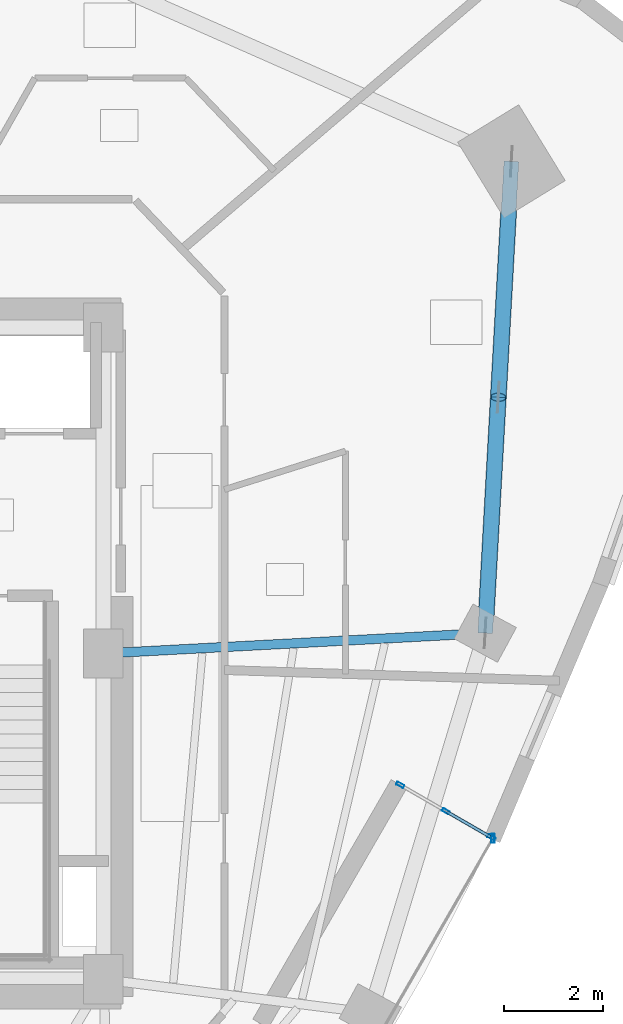
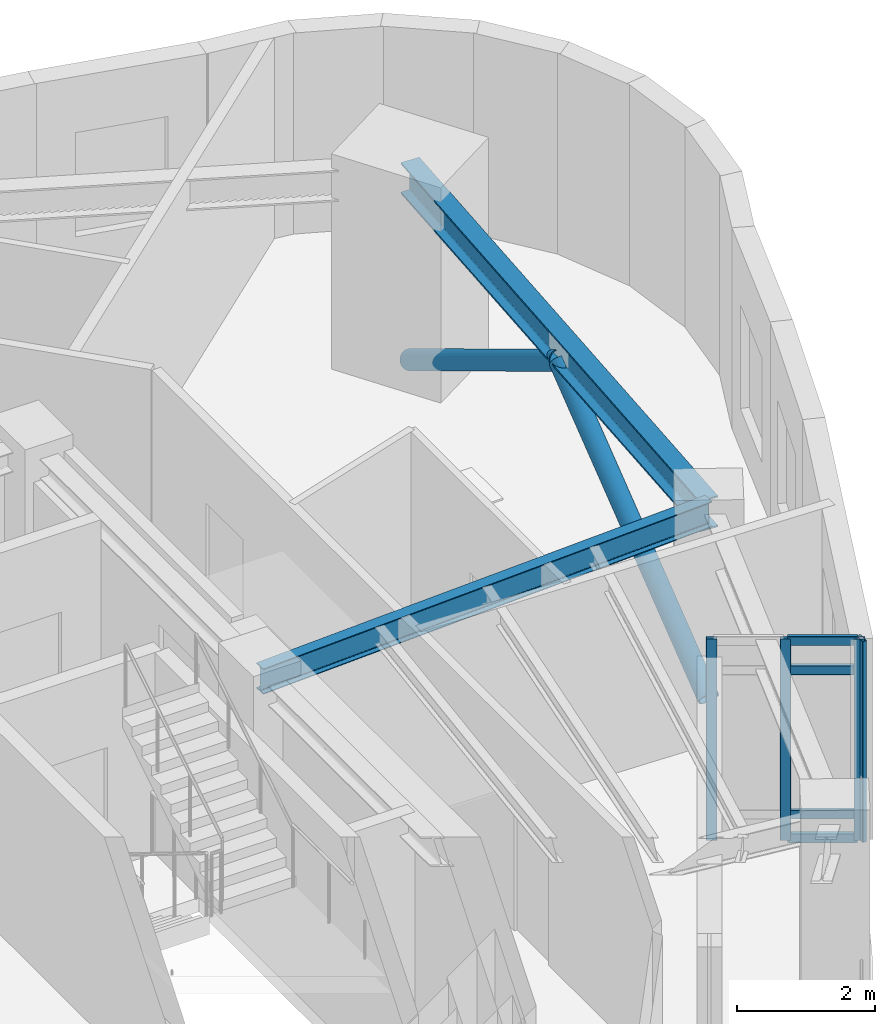
# One storey, part 4 of 12: 10 members, 2 beams, 1 element without a shape of its own.
"""IFC4 building model written with IfcOpenShell, lengths in metres."""

from ifc_helpers import new_model, si_unit, direction, frame, origin, origin_2d, place, context, subcontext, project, spatial, hollow_rectangle, hollow_circle, i_section, extrude, material, layer, layer_set, material_profile, profile_set, type_object, element, aggregate, save


model = new_model("IFC4")

# Units and contexts
model_context = context("Model", 3, precision=1e-05, world=origin(), true_north=direction((0.0, 1.0)))
body_context = subcontext(model_context, "Body", "Model", "MODEL_VIEW")
ifc_project = project(units=[si_unit("LENGTHUNIT", "METRE"), si_unit("AREAUNIT", "SQUARE_METRE"), si_unit("VOLUMEUNIT", "CUBIC_METRE"), si_unit("PLANEANGLEUNIT", "RADIAN"), si_unit("MASSUNIT", "GRAM", prefix="KILO")], contexts=[model_context])

# Site, building, storey
site_placement = place(None, origin())
site = spatial("IfcSite", under=ifc_project, at=site_placement, CompositionType="ELEMENT")
building_placement = place(site_placement, origin())
building = spatial("IfcBuilding", under=site, at=building_placement, Name="Ndelora Gate Hotel", CompositionType="ELEMENT")
storey_placement = place(building_placement, frame((0.0, 0.0, 205.550048828125)))
storey = spatial("IfcBuildingStorey", under=building, at=storey_placement, Name="L51", CompositionType="ELEMENT", Elevation=205.550048828125)

# Beams
ifc_material_1 = material(Name="Steel S355", Category="steel")
ifc_material_profile_1 = material_profile(ifc_material_1, i_section(OverallWidth=0.18994140625, OverallDepth=0.449951171875, WebThickness=0.009521484375, FlangeThickness=0.0146484375, FilletRadius=0.02099609375, at=origin_2d()), Name="IPE 450")
ifc_profile_set_1 = profile_set([ifc_material_profile_1], Name="Steel S355")
beam_type_1 = type_object("IfcBeamType", Name="BM-RAD-450", PredefinedType="BEAM", material=ifc_profile_set_1)
beam_1_placement = place(storey_placement, frame((8.0, 0.0, 3.324951171875), z_axis=(0.998583554121, 0.053206065814, 0.0), x_axis=(-0.053206065814, 0.998583554121, 0.0)))
element("IfcBeam", 1, at=beam_1_placement, inside=storey, type_object=beam_type_1, Name="L51 Radial Floor Girder 8", PredefinedType="BEAM", context=body_context, shape_type="SweptSolid", body=[
    extrude(i_section(OverallWidth=0.18994140625, OverallDepth=0.449951171875, WebThickness=0.009521484375, FlangeThickness=0.0146484375, FilletRadius=0.02099609375, at=origin_2d()), origin(), (0.0, 0.0, 1.0), 7.740966796875),
])
ifc_material_profile_2 = material_profile(ifc_material_1, i_section(OverallWidth=0.300048828125, OverallDepth=0.550048828125, WebThickness=0.014892578125, FlangeThickness=0.029052734375, FilletRadius=0.027099609375, at=origin_2d()), Name="HEB 550")
ifc_profile_set_2 = profile_set([ifc_material_profile_2], Name="Steel S355")
beam_type_2 = type_object("IfcBeamType", Name="BM-RING-550", PredefinedType="SPANDREL", material=ifc_profile_set_2)
beam_2_placement = place(storey_placement, frame((15.72998046875, 0.411865234375, 3.27490234375), z_axis=(0.055426206248, 0.998462786318, 0.0), x_axis=(-0.998462786318, 0.055426206248, 0.0)))
element("IfcBeam", 2, at=beam_2_placement, inside=storey, type_object=beam_type_2, Name="L51 Perimeter Spandrel Girder 8", PredefinedType="SPANDREL", context=body_context, shape_type="SweptSolid", body=[
    extrude(i_section(OverallWidth=0.300048828125, OverallDepth=0.550048828125, WebThickness=0.014892578125, FlangeThickness=0.029052734375, FilletRadius=0.027099609375, at=origin_2d()), origin(), (0.0, 0.0, 1.0), 9.567138671875),
])

# Curtain wall, members
ifc_material_2 = material(Name="Bronze Anodised Unitised Aluminium and Low-E Glass", Category="aluminium")
ifc_layer = layer(ifc_material_2, 0.199951171875)
ifc_layer_set = layer_set([ifc_layer], Name="Bronze Anodised Unitised Aluminium and Low-E Glass")
curtain_wall_type = type_object("IfcCurtainWallType", Name="CW-SYS-3", PredefinedType="NOTDEFINED", material=ifc_layer_set)
curtain_wall_placement = place(storey_placement, origin())
curtain_wall = element("IfcCurtainWall", 3, at=curtain_wall_placement, inside=storey, type_object=curtain_wall_type, Name="L51 Sky-Garden Loggia Side Curtain Wall CW3-2", PredefinedType="NOTDEFINED")
ifc_material_3 = material(Name="Bronze Anodised Aluminium 6063-T6", Category="aluminium")
ifc_material_profile_3 = material_profile(ifc_material_3, hollow_rectangle(XDim=0.06494140625, YDim=0.159912109375, WallThickness=0.00390625, InnerFilletRadius=0.00390625, OuterFilletRadius=0.008056640625, at=origin_2d()), Name="ALU 160x65x4")
ifc_profile_set_3 = profile_set([ifc_material_profile_3], Name="Bronze Anodised Aluminium 6063-T6")
member_type_1 = type_object("IfcMemberType", Name="MB-CW-MUL150", PredefinedType="MULLION", material=ifc_profile_set_3)
member_1_placement = place(storey_placement, frame((15.857666015625, -3.728271484375, -0.004150390625), z_axis=(0.0, 0.0, 1.0), x_axis=(-0.499991317892, -0.866030416344, 0.0)))
member_1 = element("IfcMember", 4, at=member_1_placement, type_object=member_type_1, Name="CW3 mullion 1", PredefinedType="MULLION", context=body_context, shape_type="SweptSolid", body=[
    extrude(hollow_rectangle(XDim=0.06494140625, YDim=0.159912109375, WallThickness=0.00390625, InnerFilletRadius=0.00390625, OuterFilletRadius=0.008056640625, at=origin_2d()), origin(), (0.0, 0.0, 1.0), 3.55810546875),
])
member_2_placement = place(storey_placement, frame((14.933349609375, -3.194580078125, -0.004150390625), z_axis=(0.0, 0.0, 1.0), x_axis=(-0.499991317892, -0.866030416344, 0.0)))
member_2 = element("IfcMember", 5, at=member_2_placement, type_object=member_type_1, Name="CW3 mullion 2", PredefinedType="MULLION", context=body_context, shape_type="SweptSolid", body=[
    extrude(hollow_rectangle(XDim=0.06494140625, YDim=0.159912109375, WallThickness=0.00390625, InnerFilletRadius=0.00390625, OuterFilletRadius=0.008056640625, at=origin_2d()), origin(), (0.0, 0.0, 1.0), 3.55810546875),
])
member_3_placement = place(storey_placement, frame((14.0087890625, -2.660888671875, -0.004150390625), z_axis=(0.0, 0.0, 1.0), x_axis=(-0.499991317892, -0.866030416344, 0.0)))
member_3 = element("IfcMember", 6, at=member_3_placement, type_object=member_type_1, Name="CW3 mullion 3", PredefinedType="MULLION", context=body_context, shape_type="SweptSolid", body=[
    extrude(hollow_rectangle(XDim=0.06494140625, YDim=0.159912109375, WallThickness=0.00390625, InnerFilletRadius=0.00390625, OuterFilletRadius=0.008056640625, at=origin_2d()), origin(), (0.0, 0.0, 1.0), 3.55810546875),
])
ifc_material_profile_4 = material_profile(ifc_material_3, hollow_rectangle(XDim=0.070068359375, YDim=0.179931640625, WallThickness=0.0048828125, InnerFilletRadius=0.0048828125, OuterFilletRadius=0.010009765625, at=origin_2d()), Name="ALU 180x70x5")
ifc_profile_set_4 = profile_set([ifc_material_profile_4], Name="Bronze Anodised Aluminium 6063-T6")
member_type_2 = type_object("IfcMemberType", Name="MB-CW-MUL180", PredefinedType="MULLION", material=ifc_profile_set_4)
member_4_placement = place(storey_placement, frame((15.885986328125, -3.74462890625, 0.0), z_axis=(0.0, 0.0, 1.0), x_axis=(1.0, 0.0, 0.0)))
member_4 = element("IfcMember", 7, at=member_4_placement, type_object=member_type_2, Name="L51 Sky-Garden Loggia Corner Mullion Post 2", PredefinedType="MULLION", context=body_context, shape_type="SweptSolid", body=[
    extrude(hollow_rectangle(XDim=0.070068359375, YDim=0.179931640625, WallThickness=0.0048828125, InnerFilletRadius=0.0048828125, OuterFilletRadius=0.010009765625, at=origin_2d()), origin(), (0.0, 0.0, 1.0), 3.550048828125),
])
ifc_material_profile_5 = material_profile(ifc_material_3, hollow_rectangle(XDim=0.06494140625, YDim=0.159912109375, WallThickness=0.00390625, InnerFilletRadius=0.00390625, OuterFilletRadius=0.008056640625, at=origin_2d()), Name="ALU 160x65x4")
ifc_profile_set_5 = profile_set([ifc_material_profile_5], Name="Bronze Anodised Aluminium 6063-T6")
member_type_3 = type_object("IfcMemberType", Name="MB-CW-TRN150", PredefinedType="USERDEFINED", material=ifc_profile_set_5)
member_5_placement = place(storey_placement, frame((15.834716796875, -3.715087890625, 0.032470703125), z_axis=(-0.865953096906, 0.50012521828, 0.0), x_axis=(-0.50012521828, -0.865953096906, 0.0)))
member_5 = element("IfcMember", 8, at=member_5_placement, type_object=member_type_3, Name="CW3 transom 1.1", ObjectType="TRANSOM", PredefinedType="USERDEFINED", context=body_context, shape_type="SweptSolid", body=[
    extrude(hollow_rectangle(XDim=0.06494140625, YDim=0.159912109375, WallThickness=0.00390625, InnerFilletRadius=0.00390625, OuterFilletRadius=0.008056640625, at=origin_2d()), origin(), (0.0, 0.0, 1.0), 1.014404296875),
])
member_6_placement = place(storey_placement, frame((15.834716796875, -3.715087890625, 0.449951171875), z_axis=(-0.865953096906, 0.50012521828, 0.0), x_axis=(-0.50012521828, -0.865953096906, 0.0)))
member_6 = element("IfcMember", 9, at=member_6_placement, type_object=member_type_3, Name="CW3 transom 1.2", ObjectType="TRANSOM", PredefinedType="USERDEFINED", context=body_context, shape_type="SweptSolid", body=[
    extrude(hollow_rectangle(XDim=0.06494140625, YDim=0.159912109375, WallThickness=0.00390625, InnerFilletRadius=0.00390625, OuterFilletRadius=0.008056640625, at=origin_2d()), origin(), (0.0, 0.0, 1.0), 1.014404296875),
])
member_7_placement = place(storey_placement, frame((15.834716796875, -3.715087890625, 3.0), z_axis=(-0.865953096906, 0.50012521828, 0.0), x_axis=(-0.50012521828, -0.865953096906, 0.0)))
member_7 = element("IfcMember", 10, at=member_7_placement, type_object=member_type_3, Name="CW3 transom 1.3", ObjectType="TRANSOM", PredefinedType="USERDEFINED", context=body_context, shape_type="SweptSolid", body=[
    extrude(hollow_rectangle(XDim=0.06494140625, YDim=0.159912109375, WallThickness=0.00390625, InnerFilletRadius=0.00390625, OuterFilletRadius=0.008056640625, at=origin_2d()), origin(), (0.0, 0.0, 1.0), 1.014404296875),
])
member_8_placement = place(storey_placement, frame((15.834716796875, -3.715087890625, 3.517333984375), z_axis=(-0.865953096906, 0.50012521828, 0.0), x_axis=(-0.50012521828, -0.865953096906, 0.0)))
member_8 = element("IfcMember", 11, at=member_8_placement, type_object=member_type_3, Name="CW3 transom 1.4", ObjectType="TRANSOM", PredefinedType="USERDEFINED", context=body_context, shape_type="SweptSolid", body=[
    extrude(hollow_rectangle(XDim=0.06494140625, YDim=0.159912109375, WallThickness=0.00390625, InnerFilletRadius=0.00390625, OuterFilletRadius=0.008056640625, at=origin_2d()), origin(), (0.0, 0.0, 1.0), 1.014404296875),
])
aggregate(curtain_wall, [member_1, member_2, member_3, member_5, member_6, member_7, member_8, member_4])

# Members
ifc_material_profile_6 = material_profile(ifc_material_1, hollow_circle(Radius=0.161865234375, WallThickness=0.01611328125, at=origin_2d()), Name="CHS 323.9x16")
ifc_profile_set_6 = profile_set([ifc_material_profile_6], Name="Steel S355")
member_type_4 = type_object("IfcMemberType", Name="MB-TUBE-324", PredefinedType="BRACE", material=ifc_profile_set_6)
member_9_placement = place(storey_placement, frame((15.72998046875, 0.411865234375, 0.02001953125), z_axis=(0.047045319089, 0.847465540823, 0.528761661876), x_axis=(-0.99846270792, 0.055427618504, 0.0)))
element("IfcMember", 12, at=member_9_placement, inside=storey, type_object=member_type_4, Name="L51 Perimeter Braced-Tube Diagonal 8A", PredefinedType="BRACE", context=body_context, shape_type="SweptSolid", body=[
    extrude(hollow_circle(Radius=0.161865234375, WallThickness=0.01611328125, at=origin_2d()), origin(), (0.0, 0.0, 1.0), 5.6357421875),
])
member_10_placement = place(storey_placement, frame((16.26025390625, 9.96435546875, 0.02001953125), z_axis=(-0.04704359201, -0.847477747768, 0.528742250524), x_axis=(0.998462864709, -0.055424794064, 0.0)))
element("IfcMember", 13, at=member_10_placement, inside=storey, type_object=member_type_4, Name="L51 Perimeter Braced-Tube Diagonal 8B", PredefinedType="BRACE", context=body_context, shape_type="SweptSolid", body=[
    extrude(hollow_circle(Radius=0.161865234375, WallThickness=0.01611328125, at=origin_2d()), origin(), (0.0, 0.0, 1.0), 5.635986328125),
])

save(model, "model.ifc")
